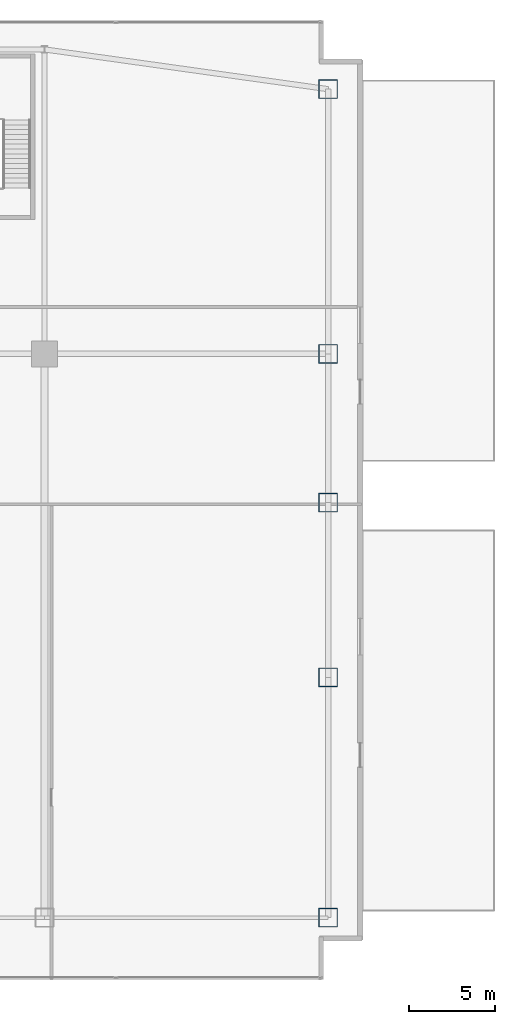
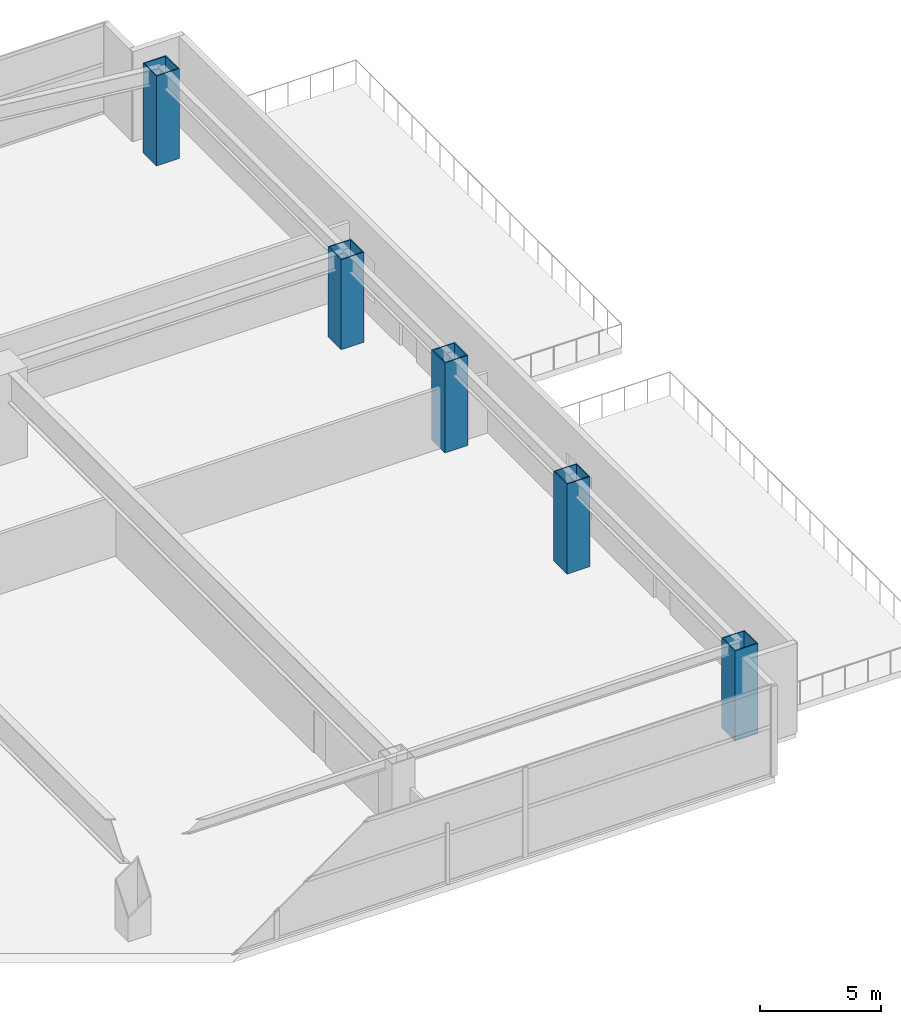
# One storey, part 3 of 30: 5 columns.
"""IFC4 building model written with IfcOpenShell, lengths in metres."""

from ifc_helpers import new_model, si_unit, direction, frame, origin, origin_2d, place, context, subcontext, project, spatial, hollow_rectangle, extrude, material, material_profile, profile_set, type_object, element, save


model = new_model("IFC4")

# Units and contexts
model_context = context("Model", 3, precision=1e-05, world=origin(), true_north=direction((0.0, 1.0)))
body_context = subcontext(model_context, "Body", "Model", "MODEL_VIEW")
ifc_project = project(units=[si_unit("LENGTHUNIT", "METRE"), si_unit("AREAUNIT", "SQUARE_METRE"), si_unit("VOLUMEUNIT", "CUBIC_METRE"), si_unit("PLANEANGLEUNIT", "RADIAN"), si_unit("MASSUNIT", "GRAM", prefix="KILO")], contexts=[model_context])

# Site, building, storey
site_placement = place(None, origin())
site = spatial("IfcSite", under=ifc_project, at=site_placement, CompositionType="ELEMENT")
building_placement = place(site_placement, origin())
building = spatial("IfcBuilding", under=site, at=building_placement, Name="Calvorn Quay Hotel", CompositionType="ELEMENT")
storey_placement = place(building_placement, frame((0.0, 0.0, 17.0)))
storey = spatial("IfcBuildingStorey", under=building, at=storey_placement, Name="L03", CompositionType="ELEMENT", Elevation=17.0)

# Columns
ifc_material = material(Name="Steel Q420GJC", Category="steel")
ifc_material_profile = material_profile(ifc_material, hollow_rectangle(XDim=1.10009765625, YDim=1.10009765625, WallThickness=0.044921875, at=origin_2d()), Name="BOX1100x1100x45")
ifc_profile_set = profile_set([ifc_material_profile], Name="Steel Q420GJC")
column_type = type_object("IfcColumnType", Name="COL-STL-MEGA1", PredefinedType="COLUMN", material=ifc_profile_set)
for number, where, z_axis, x_axis, name in (
    (1, (74.0, 3.60009765625, 0.0), (0.0, 0.0, 1.0), (1.0, 0.0, 0.0), "Column C-PE1 (L03)"),
    (2, (74.0, 17.5, 0.0), (0.0, 0.0, 1.0), (1.0, 0.0, 0.0), "Column C-PE2 (L03)"),
    (3, (74.0, 27.60009765625, 0.0), (0.0, 0.0, 1.0), (1.0, 0.0, 0.0), "Column C-PE3 (L03)"),
    (4, (74.0, 36.199951171875, 0.0), (0.0, 0.0, 1.0), (1.0, 0.0, 0.0), "Column C-PE4 (L03)"),
    (5, (74.0, 51.5, 0.0), (0.0, 0.0, 1.0), (1.0, 0.0, 0.0), "Column C-PE5 (L03)"),
):
    element("IfcColumn", number, at=place(storey_placement, frame(where, z_axis=z_axis, x_axis=x_axis)), inside=storey, type_object=column_type, Name=name, PredefinedType="COLUMN", context=body_context, shape_type="SweptSolid", body=[
        extrude(hollow_rectangle(XDim=1.10009765625, YDim=1.10009765625, WallThickness=0.044921875, at=origin_2d()), origin(), (0.0, 0.0, 1.0), 4.550048828125),
    ])

save(model, "model.ifc")
